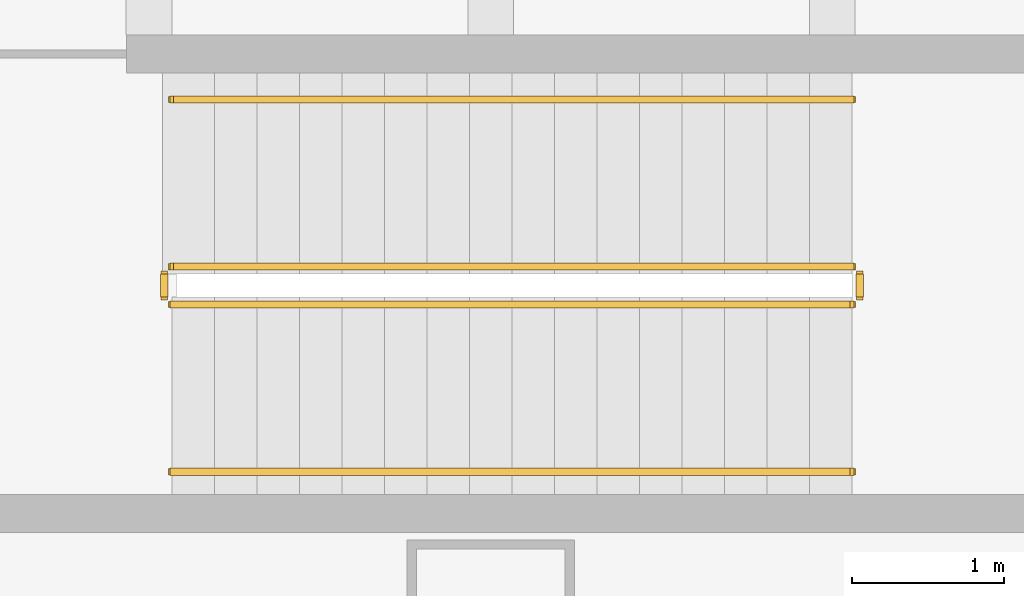
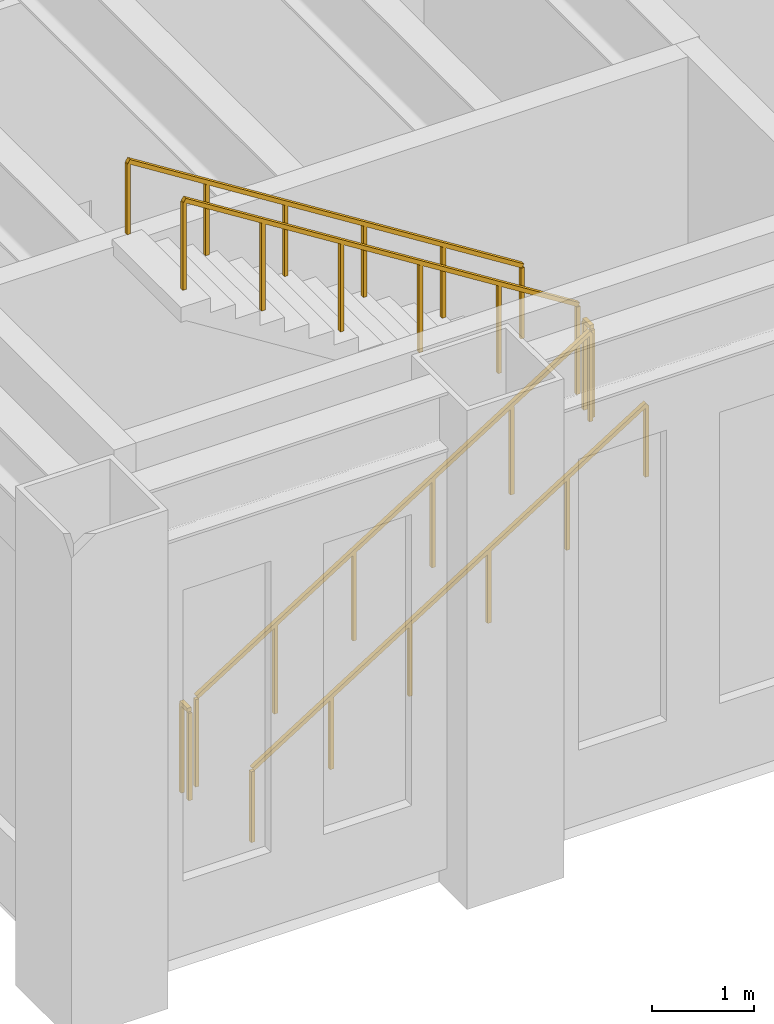
# One storey, part 16 of 19: 6 railings.
"""IFC4 building model written with IfcOpenShell, lengths in metres."""

import ifcopenshell
import ifcopenshell.guid

model = None  # the IFC model being written
_history = None  # IfcOwnerHistory: only IFC2X3 demands one
_inside = {}  # id of a spatial element -> (the spatial element, [elements in it])
_under = {}  # id of a project, library or spatial element -> (it, [spatial elements below it])
_declared = {}  # id of a project -> (the project, [libraries it declares])
_typed = {}  # id of a type object -> (the type object, [elements of that type])
_made_of = {}  # id of a material, layer set ... -> (it, [elements and type objects made of it])


def new_model(schema):
    """Start an empty IFC model of exactly this schema.

    Asked for "IFC4X3", IfcOpenShell would pick the latest addendum, in which some entities
    have other attributes; the version numbers below select the first issue.
    IFC2X3 requires an IfcOwnerHistory on every rooted entity: one is made here for all.
    """
    global model, _history
    if schema == "IFC4X3":
        model = ifcopenshell.file(schema_version=(4, 3, 0, 0))
    else:
        model = ifcopenshell.file(schema=schema)
    _inside.clear()
    _under.clear()
    _declared.clear()
    _typed.clear()
    _made_of.clear()
    _history = None
    if model.schema == "IFC2X3":
        org = make("IfcOrganization", Name="unknown")
        user = make(
            "IfcPersonAndOrganization",
            ThePerson=make("IfcPerson", FamilyName="unknown"),
            TheOrganization=org,
        )
        app = make(
            "IfcApplication",
            ApplicationDeveloper=org,
            Version="unknown",
            ApplicationFullName="unknown",
            ApplicationIdentifier="unknown",
        )
        _history = make(
            "IfcOwnerHistory",
            OwningUser=user,
            OwningApplication=app,
            ChangeAction="ADDED",
            CreationDate=0,
        )
    return model


def make(cls, **values):
    """One entity of the class cls with the attributes given. An attribute that is None is left unset."""
    return model.create_entity(
        cls, **{name: value for name, value in values.items() if value is not None}
    )


def rooted(cls, **values):
    """An entity with a GlobalId (a new one), such as an element, a storey or a relation."""
    return make(cls, GlobalId=ifcopenshell.guid.new(), OwnerHistory=_history, **values)


def si_unit(unit_type, name, prefix=None):
    """IfcSIUnit, for example si_unit("LENGTHUNIT", "METRE", prefix="MILLI")."""
    return make("IfcSIUnit", UnitType=unit_type, Prefix=prefix, Name=name)


def assignment(units):
    """IfcUnitAssignment: the units of a project."""
    return None if units is None else make("IfcUnitAssignment", Units=units)


def point(xyz):
    """IfcCartesianPoint."""
    return None if xyz is None else make("IfcCartesianPoint", Coordinates=xyz)


def direction(xyz):
    """IfcDirection."""
    return None if xyz is None else make("IfcDirection", DirectionRatios=xyz)


def frame(location, z_axis=None, x_axis=None):
    """IfcAxis2Placement3D, a coordinate frame: its origin and axes. An axis left out is left unset."""
    return make(
        "IfcAxis2Placement3D",
        Location=point(location),
        Axis=direction(z_axis),
        RefDirection=direction(x_axis),
    )


def frame_2d(location, x_axis=None):
    """IfcAxis2Placement2D, a coordinate frame in the plane: its origin and x axis."""
    return make(
        "IfcAxis2Placement2D", Location=point(location), RefDirection=direction(x_axis)
    )


def origin():
    """The frame at (0, 0, 0) with its axes left unset."""
    return frame((0.0, 0.0, 0.0))


def origin_2d():
    """The frame at (0, 0) in the plane with its x axis left unset."""
    return frame_2d((0.0, 0.0))


def place(relative_to, where):
    """IfcLocalPlacement: puts the frame where relative to a parent placement (None: the world)."""
    return make(
        "IfcLocalPlacement", PlacementRelTo=relative_to, RelativePlacement=where
    )


def context(
    kind, dimensions, precision=None, world=None, true_north=None, identifier=None
):
    """IfcGeometricRepresentationContext, for example the 3D "Model" context."""
    return make(
        "IfcGeometricRepresentationContext",
        ContextIdentifier=identifier,
        ContextType=kind,
        CoordinateSpaceDimension=dimensions,
        Precision=precision,
        WorldCoordinateSystem=world,
        TrueNorth=true_north,
    )


def subcontext(parent, identifier, kind, view, scale=None):
    """IfcGeometricRepresentationSubContext, for example "Body" below "Model"."""
    return make(
        "IfcGeometricRepresentationSubContext",
        ContextIdentifier=identifier,
        ContextType=kind,
        ParentContext=parent,
        TargetScale=scale,
        TargetView=view,
    )


def project(units=None, contexts=None):
    """IfcProject with its units and contexts."""
    return rooted(
        "IfcProject",
        Name="project",
        RepresentationContexts=contexts,
        UnitsInContext=assignment(units),
    )


def spatial(cls, under=None, at=None, **own):
    """A site, building, storey or space (cls), placed at a placement, below another one or the project."""
    s = rooted(cls, ObjectPlacement=at, **own)
    if under is not None:
        _under.setdefault(under.id(), (under, []))[1].append(s)
    return s


def profile(cls, at=None, kind="AREA", **sizes):
    """A parametric profile (cls). Its sizes go by their IFC names, for example OverallWidth=200.0."""
    return make(cls, ProfileType=kind, Position=at, **sizes)


def rectangle(**sizes):
    """IfcRectangleProfileDef."""
    return profile("IfcRectangleProfileDef", **sizes)


def extrude(swept, where, along, depth):
    """IfcExtrudedAreaSolid: the profile swept, set in the frame where, extruded along a direction by depth."""
    return make(
        "IfcExtrudedAreaSolid",
        SweptArea=swept,
        Position=where,
        ExtrudedDirection=direction(along),
        Depth=depth,
    )


def shape(context_of_items, identifier, shape_type, items):
    """IfcShapeRepresentation: the items that make up one representation, for example the "Body"."""
    return make(
        "IfcShapeRepresentation",
        ContextOfItems=context_of_items,
        RepresentationIdentifier=identifier,
        RepresentationType=shape_type,
        Items=items,
    )


def material(Name=None, Category=None):
    """IfcMaterial."""
    return make("IfcMaterial", Name=Name, Category=Category)


def made_of(thing, what):
    """Note that an element or type object is made of a material, layer set ...; save() writes the relation."""
    if what is not None:
        _made_of.setdefault(what.id(), (what, []))[1].append(thing)
    return thing


def type_object(cls, material=None, **own):
    """A type object (cls), such as IfcWallType, which elements share."""
    return made_of(rooted(cls, **own), material)


def element(
    cls,
    number,
    at=None,
    inside=None,
    cuts=None,
    type_object=None,
    material=None,
    context=None,
    identifier="Body",
    shape_type=None,
    held_by="IfcProductDefinitionShape",
    body=None,
    shapes=None,
    **own,
):
    """One element of the class cls, such as IfcWall. Its Tag is "e" and its number.

    at: its placement. inside: the storey or other place that contains it. cuts: it is an
    opening in that element (IfcRelVoidsElement). A single representation is given by context,
    identifier, shape_type and body (its items); several are given by shapes. held_by: the class
    of the entity that holds the representations. save() writes the other relations.
    """
    e = rooted(cls, Tag="e%d" % number, ObjectPlacement=at, **own)
    if body is not None:
        shapes = [shape(context, identifier, shape_type, body)]
    if shapes is not None:
        e.Representation = make(held_by, Representations=shapes)
    if inside is not None:
        _inside.setdefault(inside.id(), (inside, []))[1].append(e)
    if cuts is not None:
        rooted(
            "IfcRelVoidsElement", RelatingBuildingElement=cuts, RelatedOpeningElement=e
        )
    if type_object is not None:
        _typed.setdefault(type_object.id(), (type_object, []))[1].append(e)
    return made_of(e, material)


def aggregate(whole, parts):
    """IfcRelAggregates: a whole, such as a stair, and the parts it consists of."""
    return rooted("IfcRelAggregates", RelatingObject=whole, RelatedObjects=parts)


def save(model, path):
    """Write the relations noted so far, then the file.

    IfcRelAggregates (storeys below a building ...), IfcRelContainedInSpatialStructure (elements
    in a storey), IfcRelDefinesByType, IfcRelAssociatesMaterial and IfcRelDeclares: one each for
    every whole, place, type object, material and project.
    """
    for whole, parts in _under.values():
        aggregate(whole, parts)
    for where, things in _inside.values():
        rooted(
            "IfcRelContainedInSpatialStructure",
            RelatedElements=things,
            RelatingStructure=where,
        )
    for kind, things in _typed.values():
        rooted("IfcRelDefinesByType", RelatedObjects=things, RelatingType=kind)
    for what, things in _made_of.values():
        rooted("IfcRelAssociatesMaterial", RelatedObjects=things, RelatingMaterial=what)
    for by, libraries in _declared.values():
        rooted("IfcRelDeclares", RelatingContext=by, RelatedDefinitions=libraries)
    model.write(path)


model = new_model("IFC4")

# Units and contexts
model_context = context("Model", 3, precision=1e-05, world=origin(), true_north=direction((0.0, 1.0)))
body_context = subcontext(model_context, "Body", "Model", "MODEL_VIEW")
ifc_project = project(units=[si_unit("LENGTHUNIT", "METRE"), si_unit("AREAUNIT", "SQUARE_METRE"), si_unit("VOLUMEUNIT", "CUBIC_METRE"), si_unit("PLANEANGLEUNIT", "RADIAN"), si_unit("MASSUNIT", "GRAM", prefix="KILO")], contexts=[model_context])

# Site, building, storey
site_placement = place(None, origin())
site = spatial("IfcSite", under=ifc_project, at=site_placement, CompositionType="ELEMENT")
building_placement = place(site_placement, origin())
building = spatial("IfcBuilding", under=site, at=building_placement, Name="Sennacour Bend Tower", CompositionType="ELEMENT")
storey_placement = place(building_placement, frame((0.0, 0.0, 8.0)))
storey = spatial("IfcBuildingStorey", under=building, at=storey_placement, Name="L01", CompositionType="ELEMENT", Elevation=8.0)

# Railings
ifc_material = material(Name="Stainless steel", Category="steel")
railing_type_1 = type_object("IfcRailingType", Name="RL-GUARD-1100", PredefinedType="GUARDRAIL", material=ifc_material)
railing_1_placement = place(storey_placement, frame((2.39990234375, 2.10009765625, 0.176513671875)))
element("IfcRailing", 1, at=railing_1_placement, inside=storey, type_object=railing_type_1, Name="L01 SK1 stair guard 1", PredefinedType="GUARDRAIL", context=body_context, shape_type="SweptSolid", body=[
    extrude(rectangle(XDim=0.048095703125, YDim=0.048095703125, at=origin_2d()), frame((0.0, 0.0, 1.076171875), z_axis=(0.845997938375, 0.0, 0.533186166611), x_axis=(0.0, 1.0, 0.0)), (0.0, 0.0, 1.0), 5.29541015625),
    extrude(rectangle(XDim=0.0419921875, YDim=0.0419921875, at=origin_2d()), origin(), (0.0, 0.0, 1.0), 1.052001953125),
    extrude(rectangle(XDim=0.0419921875, YDim=0.0419921875, at=origin_2d()), frame((0.89599609375, 0.0, 0.564697265625)), (0.0, 0.0, 1.0), 1.052001953125),
    extrude(rectangle(XDim=0.0419921875, YDim=0.0419921875, at=origin_2d()), frame((1.7919921875, 0.0, 1.12939453125)), (0.0, 0.0, 1.0), 1.052001953125),
    extrude(rectangle(XDim=0.0419921875, YDim=0.0419921875, at=origin_2d()), frame((2.68798828125, 0.0, 1.694091796875)), (0.0, 0.0, 1.0), 1.052001953125),
    extrude(rectangle(XDim=0.0419921875, YDim=0.0419921875, at=origin_2d()), frame((3.583984375, 0.0, 2.2587890625)), (0.0, 0.0, 1.0), 1.052001953125),
    extrude(rectangle(XDim=0.0419921875, YDim=0.0419921875, at=origin_2d()), frame((4.47998046875, 0.0, 2.823486328125)), (0.0, 0.0, 1.0), 1.052001953125),
])
railing_2_placement = place(storey_placement, frame((6.929931640625, 2.14990234375, 3.0)))
element("IfcRailing", 2, at=railing_2_placement, inside=storey, type_object=railing_type_1, Name="L01 SK1 stair guard 2", PredefinedType="GUARDRAIL", context=body_context, shape_type="SweptSolid", body=[
    extrude(rectangle(XDim=0.048095703125, YDim=0.048095703125, at=origin_2d()), frame((0.0, 0.0, 1.076171875), z_axis=(0.0, 1.0, 0.0), x_axis=(-1.0, 0.0, 0.0)), (0.0, 0.0, 1.0), 0.150146484375),
    extrude(rectangle(XDim=0.0419921875, YDim=0.0419921875, at=origin_2d()), origin(), (0.0, 0.0, 1.0), 1.052001953125),
    extrude(rectangle(XDim=0.0419921875, YDim=0.0419921875, at=origin_2d()), frame((0.0, 0.150146484375, 0.0)), (0.0, 0.0, 1.0), 1.052001953125),
])
railing_3_placement = place(storey_placement, frame((6.8798828125, 2.35009765625, 3.176513671875)))
element("IfcRailing", 3, at=railing_3_placement, inside=storey, type_object=railing_type_1, Name="L01 SK1 stair guard 3", PredefinedType="GUARDRAIL", context=body_context, shape_type="SweptSolid", body=[
    extrude(rectangle(XDim=0.048095703125, YDim=0.048095703125, at=origin_2d()), frame((0.0, 0.0, 1.076171875), z_axis=(-0.845997938375, 0.0, 0.533186166611), x_axis=(0.0, -1.0, 0.0)), (0.0, 0.0, 1.0), 5.29541015625),
    extrude(rectangle(XDim=0.0419921875, YDim=0.0419921875, at=origin_2d()), origin(), (0.0, 0.0, 1.0), 1.052001953125),
    extrude(rectangle(XDim=0.0419921875, YDim=0.0419921875, at=origin_2d()), frame((-0.89599609375, 0.0, 0.564697265625)), (0.0, 0.0, 1.0), 1.052001953125),
    extrude(rectangle(XDim=0.0419921875, YDim=0.0419921875, at=origin_2d()), frame((-1.7919921875, 0.0, 1.12939453125)), (0.0, 0.0, 1.0), 1.052001953125),
    extrude(rectangle(XDim=0.0419921875, YDim=0.0419921875, at=origin_2d()), frame((-2.68798828125, 0.0, 1.694091796875)), (0.0, 0.0, 1.0), 1.052001953125),
    extrude(rectangle(XDim=0.0419921875, YDim=0.0419921875, at=origin_2d()), frame((-3.583984375, 0.0, 2.2587890625)), (0.0, 0.0, 1.0), 1.052001953125),
    extrude(rectangle(XDim=0.0419921875, YDim=0.0419921875, at=origin_2d()), frame((-4.47998046875, 0.0, 2.823486328125)), (0.0, 0.0, 1.0), 1.052001953125),
])
railing_4_placement = place(storey_placement, frame((2.35009765625, 2.14990234375, 0.0)))
element("IfcRailing", 4, at=railing_4_placement, inside=storey, type_object=railing_type_1, Name="L01 SK1 stair guard 4", PredefinedType="GUARDRAIL", context=body_context, shape_type="SweptSolid", body=[
    extrude(rectangle(XDim=0.048095703125, YDim=0.048095703125, at=origin_2d()), frame((0.0, 0.0, 1.076171875), z_axis=(0.0, 1.0, 0.0), x_axis=(-1.0, 0.0, 0.0)), (0.0, 0.0, 1.0), 0.150146484375),
    extrude(rectangle(XDim=0.0419921875, YDim=0.0419921875, at=origin_2d()), origin(), (0.0, 0.0, 1.0), 1.052001953125),
    extrude(rectangle(XDim=0.0419921875, YDim=0.0419921875, at=origin_2d()), frame((0.0, 0.150146484375, 0.0)), (0.0, 0.0, 1.0), 1.052001953125),
])
railing_type_2 = type_object("IfcRailingType", Name="RL-HANDRAIL-900", PredefinedType="HANDRAIL", material=ifc_material)
railing_5_placement = place(storey_placement, frame((2.39990234375, 1.0, 0.176513671875)))
element("IfcRailing", 5, at=railing_5_placement, inside=storey, type_object=railing_type_2, Name="L01 SK1 stair handrail 1", PredefinedType="HANDRAIL", context=body_context, shape_type="SweptSolid", body=[
    extrude(rectangle(XDim=0.048095703125, YDim=0.048095703125, at=origin_2d()), frame((0.0, 0.0, 0.8759765625), z_axis=(0.845997938375, 0.0, 0.533186166611), x_axis=(0.0, 1.0, 0.0)), (0.0, 0.0, 1.0), 5.29541015625),
    extrude(rectangle(XDim=0.0419921875, YDim=0.0419921875, at=origin_2d()), origin(), (0.0, 0.0, 1.0), 0.851806640625),
    extrude(rectangle(XDim=0.0419921875, YDim=0.0419921875, at=origin_2d()), frame((0.89599609375, 0.0, 0.564697265625)), (0.0, 0.0, 1.0), 0.851806640625),
    extrude(rectangle(XDim=0.0419921875, YDim=0.0419921875, at=origin_2d()), frame((1.7919921875, 0.0, 1.12939453125)), (0.0, 0.0, 1.0), 0.851806640625),
    extrude(rectangle(XDim=0.0419921875, YDim=0.0419921875, at=origin_2d()), frame((2.68798828125, 0.0, 1.694091796875)), (0.0, 0.0, 1.0), 0.851806640625),
    extrude(rectangle(XDim=0.0419921875, YDim=0.0419921875, at=origin_2d()), frame((3.583984375, 0.0, 2.2587890625)), (0.0, 0.0, 1.0), 0.851806640625),
    extrude(rectangle(XDim=0.0419921875, YDim=0.0419921875, at=origin_2d()), frame((4.47998046875, 0.0, 2.823486328125)), (0.0, 0.0, 1.0), 0.851806640625),
])
railing_6_placement = place(storey_placement, frame((6.8798828125, 3.449951171875, 3.176513671875)))
element("IfcRailing", 6, at=railing_6_placement, inside=storey, type_object=railing_type_2, Name="L01 SK1 stair handrail 2", PredefinedType="HANDRAIL", context=body_context, shape_type="SweptSolid", body=[
    extrude(rectangle(XDim=0.048095703125, YDim=0.048095703125, at=origin_2d()), frame((0.0, 0.0, 0.8759765625), z_axis=(-0.845997938375, 0.0, 0.533186166611), x_axis=(0.0, -1.0, 0.0)), (0.0, 0.0, 1.0), 5.29541015625),
    extrude(rectangle(XDim=0.0419921875, YDim=0.0419921875, at=origin_2d()), origin(), (0.0, 0.0, 1.0), 0.851806640625),
    extrude(rectangle(XDim=0.0419921875, YDim=0.0419921875, at=origin_2d()), frame((-0.89599609375, 0.0, 0.564697265625)), (0.0, 0.0, 1.0), 0.851806640625),
    extrude(rectangle(XDim=0.0419921875, YDim=0.0419921875, at=origin_2d()), frame((-1.7919921875, 0.0, 1.12939453125)), (0.0, 0.0, 1.0), 0.851806640625),
    extrude(rectangle(XDim=0.0419921875, YDim=0.0419921875, at=origin_2d()), frame((-2.68798828125, 0.0, 1.694091796875)), (0.0, 0.0, 1.0), 0.851806640625),
    extrude(rectangle(XDim=0.0419921875, YDim=0.0419921875, at=origin_2d()), frame((-3.583984375, 0.0, 2.2587890625)), (0.0, 0.0, 1.0), 0.851806640625),
    extrude(rectangle(XDim=0.0419921875, YDim=0.0419921875, at=origin_2d()), frame((-4.47998046875, 0.0, 2.823486328125)), (0.0, 0.0, 1.0), 0.851806640625),
])

save(model, "model.ifc")
